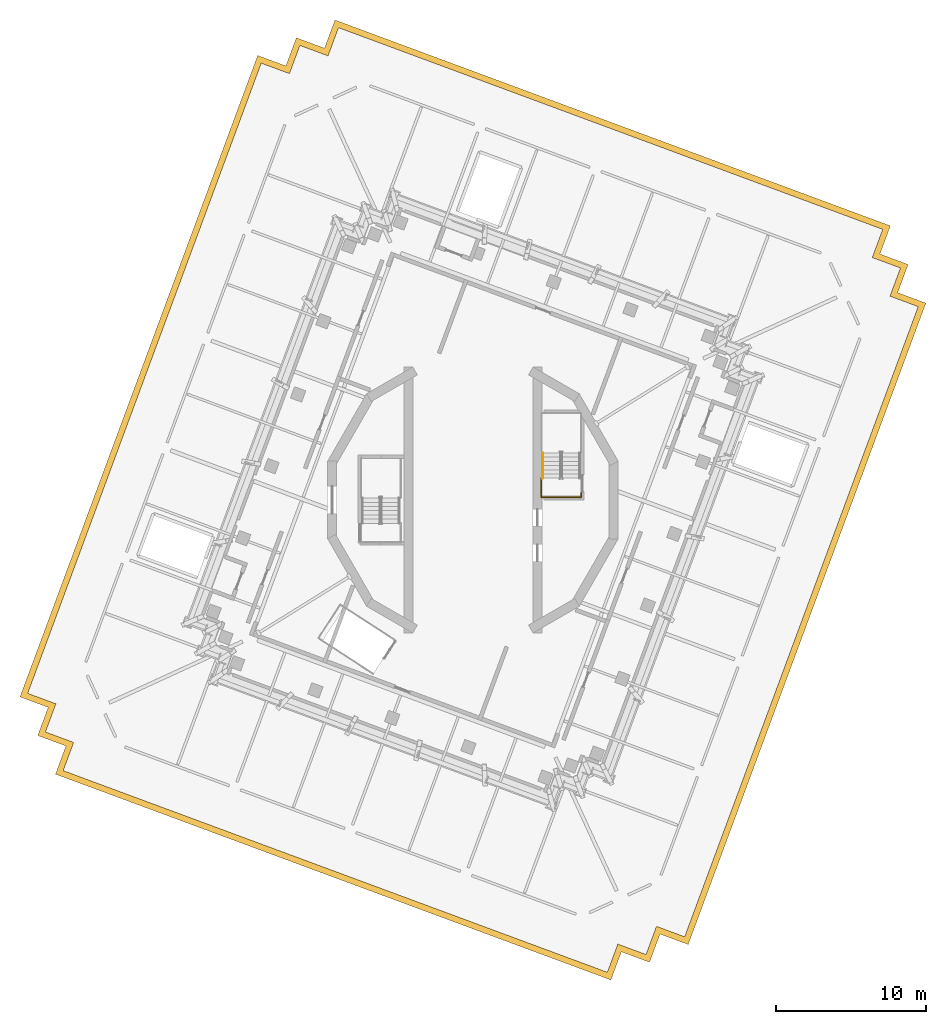
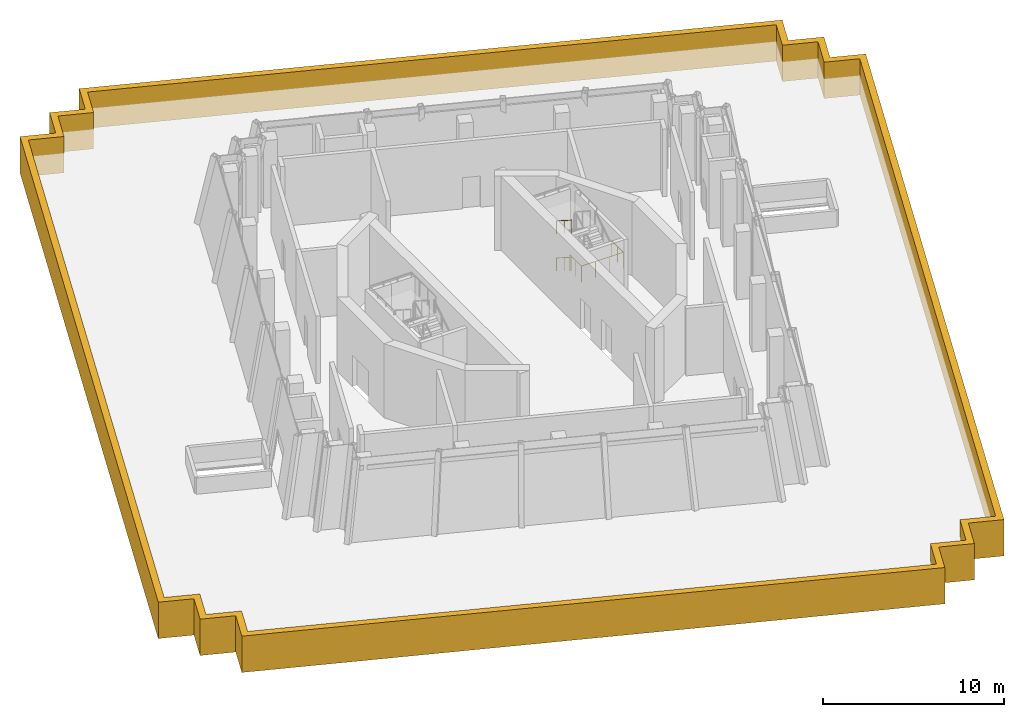
# One storey, part 11 of 12: 3 railings, 1 covering.
"""IFC4 building model written with IfcOpenShell, lengths in metres."""

from ifc_helpers import new_model, si_unit, direction, frame, origin, origin_2d, place, context, subcontext, project, spatial, polyline, circle, outline, extrude, material, type_object, element, save


model = new_model("IFC4")

# Units and contexts
model_context = context("Model", 3, precision=1e-05, world=origin(), true_north=direction((0.0, 1.0)))
body_context = subcontext(model_context, "Body", "Model", "MODEL_VIEW")
ifc_project = project(units=[si_unit("LENGTHUNIT", "METRE"), si_unit("AREAUNIT", "SQUARE_METRE"), si_unit("VOLUMEUNIT", "CUBIC_METRE"), si_unit("PLANEANGLEUNIT", "RADIAN"), si_unit("MASSUNIT", "GRAM", prefix="KILO")], contexts=[model_context])

# Site, building, storey
site_placement = place(None, origin())
site = spatial("IfcSite", under=ifc_project, at=site_placement, CompositionType="ELEMENT")
building_placement = place(site_placement, origin())
building = spatial("IfcBuilding", under=site, at=building_placement, Name="Cantera Rosa Tower", CompositionType="ELEMENT")
storey_placement = place(building_placement, frame((0.0, 0.0, 345.699951171875)))
storey = spatial("IfcBuildingStorey", under=building, at=storey_placement, Name="L78", CompositionType="ELEMENT", Elevation=345.699951171875)

# Covering
ifc_material_1 = material(Name="Cantera stone", Category="masonry")
covering_type = type_object("IfcCoveringType", Name="CANOPY FASCIA AND PARAPET 400", PredefinedType="CLADDING", material=ifc_material_1)
covering_placement = place(storey_placement, frame((0.0, 0.0, -1.349853515625)))
element("IfcCovering", 1, at=covering_placement, inside=storey, type_object=covering_type, Name="CANOPY FASCIA AND PARAPET L78", PredefinedType="CLADDING", context=body_context, shape_type="SweptSolid", body=[
    extrude(outline(polyline([(-30.12841796875, -13.09716796875), (-14.31787109375, 29.567626953125), (-12.442626953125, 28.872802734375), (-11.74755859375, 30.748046875), (-9.872314453125, 30.05322265625), (-9.17724609375, 31.928466796875), (27.767578125, 18.23779296875), (27.072509765625, 16.3623046875), (28.947998046875, 15.66748046875), (28.2529296875, 13.7919921875), (30.12841796875, 13.09716796875), (14.31787109375, -29.567626953125), (12.442626953125, -28.872802734375), (11.74755859375, -30.748046875), (9.872314453125, -30.05322265625), (9.17724609375, -31.928466796875), (-27.767578125, -18.23779296875), (-27.072509765625, -16.3623046875), (-28.947998046875, -15.66748046875), (-28.2529296875, -13.7919921875), (-30.12841796875, -13.09716796875)]), holes=[polyline([(-28.433837890625, -15.431396484375), (-26.55859375, -16.126220703125), (-27.25341796875, -18.001708984375), (8.941162109375, -31.41455078125), (9.63623046875, -29.5390625), (11.511474609375, -30.234130859375), (12.20654296875, -28.358642578125), (14.081787109375, -29.0537109375), (29.6142578125, 12.861083984375), (27.739013671875, 13.555908203125), (28.433837890625, 15.431396484375), (26.55859375, 16.126220703125), (27.25341796875, 18.001708984375), (-8.941162109375, 31.41455078125), (-9.63623046875, 29.5390625), (-11.511474609375, 30.234130859375), (-12.20654296875, 28.358642578125), (-14.081787109375, 29.0537109375), (-29.6142578125, -12.861083984375), (-27.739013671875, -13.555908203125), (-28.433837890625, -15.431396484375)])]), origin(), (0.0, 0.0, 1.0), 2.449951171875),
])

# Railings
ifc_material_2 = material(Name="Steel S355J2 (EN 10025-2)", Category="steel")
railing_type_1 = type_object("IfcRailingType", Name="STAIR GUARD 1100", PredefinedType="GUARDRAIL", material=ifc_material_2)
railing_placement = place(storey_placement, frame((7.2099609375, 1.4619140625, 2.5)))
element("IfcRailing", 2, at=railing_placement, inside=storey, type_object=railing_type_1, Name="L78 ST-72 stair guard 7", PredefinedType="GUARDRAIL", context=body_context, shape_type="SweptSolid", body=[
    extrude(circle(Radius=0.02392578125, at=origin_2d()), frame((0.0, 0.0, 1.076171875), z_axis=(0.0, -1.0, 0.0), x_axis=(1.0, 0.0, 0.0)), (0.0, 0.0, 1.0), 1.27197265625),
    extrude(circle(Radius=0.02392578125, at=origin_2d()), frame((0.0, -1.27197265625, 1.076171875), z_axis=(-1.0, 0.0, 0.0), x_axis=(0.0, -1.0, 0.0)), (0.0, 0.0, 1.0), 2.669921875),
    extrude(circle(Radius=0.02392578125, at=origin_2d()), frame((-2.669921875, -1.27197265625, 1.076171875), z_axis=(0.0, 1.0, 0.0), x_axis=(-1.0, 0.0, 0.0)), (0.0, 0.0, 1.0), 1.27197265625),
    extrude(circle(Radius=0.02099609375, at=origin_2d()), origin(), (0.0, 0.0, 1.0), 1.052001953125),
    extrude(circle(Radius=0.02099609375, at=origin_2d()), frame((0.0, -0.635986328125, 0.0)), (0.0, 0.0, 1.0), 1.052001953125),
    extrude(circle(Radius=0.02099609375, at=origin_2d()), frame((0.0, -1.27197265625, 0.0)), (0.0, 0.0, 1.0), 1.052001953125),
    extrude(circle(Radius=0.02099609375, at=origin_2d()), frame((-0.889892578125, -1.27197265625, 0.0)), (0.0, 0.0, 1.0), 1.052001953125),
    extrude(circle(Radius=0.02099609375, at=origin_2d()), frame((-1.780029296875, -1.27197265625, 0.0)), (0.0, 0.0, 1.0), 1.052001953125),
    extrude(circle(Radius=0.02099609375, at=origin_2d()), frame((-2.669921875, -1.27197265625, 0.0)), (0.0, 0.0, 1.0), 1.052001953125),
    extrude(circle(Radius=0.02099609375, at=origin_2d()), frame((-2.669921875, -0.635986328125, 0.0)), (0.0, 0.0, 1.0), 1.052001953125),
    extrude(circle(Radius=0.02099609375, at=origin_2d()), frame((-2.669921875, 0.0, 0.0)), (0.0, 0.0, 1.0), 1.052001953125),
])
ifc_material_3 = material(Name="Steel S355J2 (EN 10025-2)", Category="steel")
railing_type_2 = type_object("IfcRailingType", Name="STAIR HANDRAIL 900", PredefinedType="HANDRAIL", material=ifc_material_3)
for number, where, name in (
    (3, (4.64990234375, 3.1298828125, 1.4287109375), "L78 ST-72 stair handrail 2"),
    (4, (4.64990234375, 3.1298828125, 3.9287109375), "L78 ST-72 stair handrail 4"),
):
    element("IfcRailing", number, at=place(storey_placement, frame(where)), inside=storey, type_object=railing_type_2, Name=name, PredefinedType="HANDRAIL", context=body_context, shape_type="SweptSolid", body=[
        extrude(circle(Radius=0.02392578125, at=origin_2d()), frame((0.0, 0.0, 0.8759765625), z_axis=(0.0, -0.843151513386, 0.53767604138), x_axis=(1.0, 0.0, 0.0)), (0.0, 0.0, 1.0), 1.992431640625),
        extrude(circle(Radius=0.02099609375, at=origin_2d()), origin(), (0.0, 0.0, 1.0), 0.851806640625),
        extrude(circle(Radius=0.02099609375, at=origin_2d()), frame((0.0, -0.83984375, 0.53564453125)), (0.0, 0.0, 1.0), 0.851806640625),
        extrude(circle(Radius=0.02099609375, at=origin_2d()), frame((0.0, -1.679931640625, 1.0712890625)), (0.0, 0.0, 1.0), 0.851806640625),
    ])

save(model, "model.ifc")
